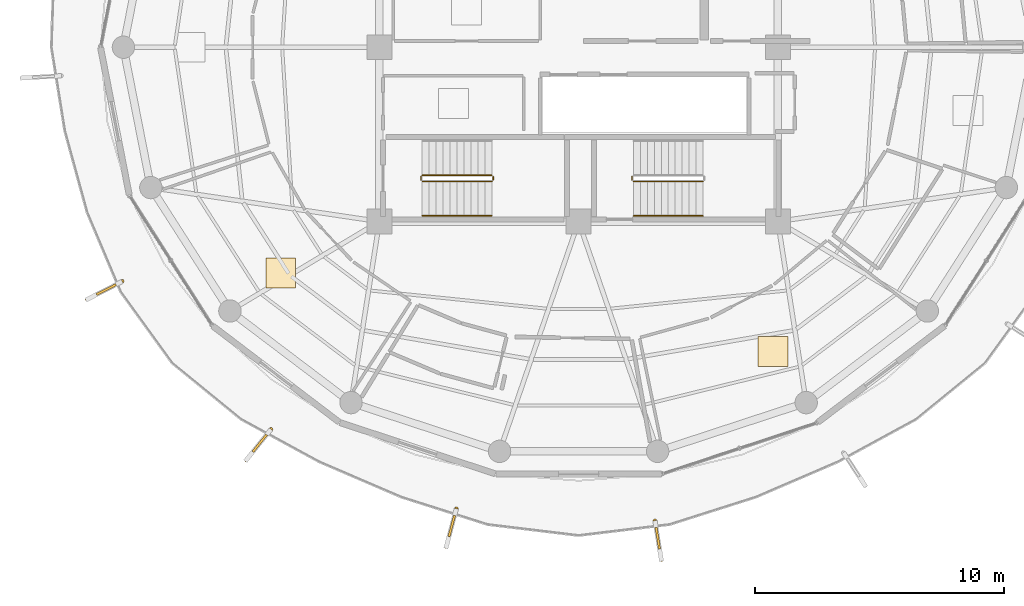
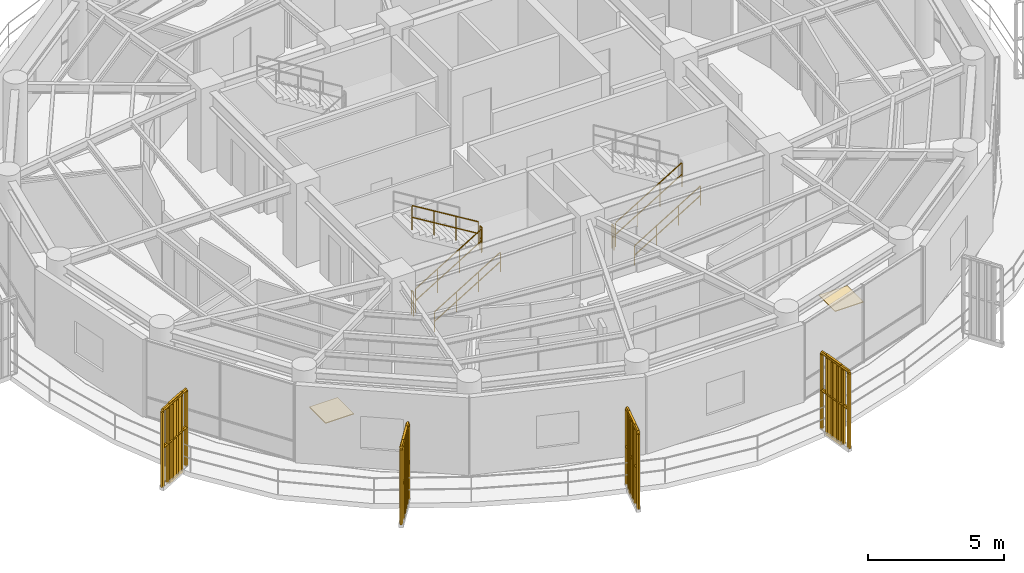
# One storey, part 20 of 23: 12 railings, 4 shading devices, 2 coverings.
"""IFC4 building model written with IfcOpenShell, lengths in metres."""

from ifc_helpers import new_model, si_unit, direction, frame, origin, origin_2d, place, context, subcontext, project, spatial, polyline, rectangle, outline, extrude, source, transform, mapped, material, layer, layer_set, type_object, element, save


model = new_model("IFC4")

# Units and contexts
model_context = context("Model", 3, precision=1e-05, world=origin(), true_north=direction((0.0, 1.0)))
body_context = subcontext(model_context, "Body", "Model", "MODEL_VIEW")
ifc_project = project(units=[si_unit("LENGTHUNIT", "METRE"), si_unit("AREAUNIT", "SQUARE_METRE"), si_unit("VOLUMEUNIT", "CUBIC_METRE"), si_unit("PLANEANGLEUNIT", "RADIAN"), si_unit("MASSUNIT", "GRAM", prefix="KILO")], contexts=[model_context])

# Site, building, storey
site_placement = place(None, origin())
site = spatial("IfcSite", under=ifc_project, at=site_placement, CompositionType="ELEMENT")
building_placement = place(site_placement, origin())
building = spatial("IfcBuilding", under=site, at=building_placement, Name="Kelanora Arch Commons", CompositionType="ELEMENT")
storey_placement = place(building_placement, frame((0.0, 0.0, 256.199951171875)))
storey = spatial("IfcBuildingStorey", under=building, at=storey_placement, Name="L65", CompositionType="ELEMENT", Elevation=256.199951171875)

# Railings
ifc_material_1 = material(Name="Anodised bronze vertical shading fin rib assembly")
railing_type_1 = type_object("IfcRailingType", Name="RAIL-FIN-BRZ", PredefinedType="BALUSTRADE", material=ifc_material_1)
railing_1_placement = place(storey_placement, frame((55.673095703125, 48.59619140625, -0.02001953125)))
element("IfcRailing", 1, at=railing_1_placement, inside=storey, type_object=railing_type_1, Name="Sweeping Bronze Vertical Fin Blade L65-10", PredefinedType="BALUSTRADE", context=body_context, shape_type="SweptSolid", body=[
    extrude(outline(polyline([(0.06982421875, 0.0), (0.034912109375, 0.060546875), (-0.034912109375, 0.060546875), (-0.06982421875, 0.0), (-0.034912109375, -0.060546875), (0.034912109375, -0.060546875), (0.06982421875, 0.0)])), frame((0.0, 0.0, 3.419921875), z_axis=(-0.889705410114, -0.456535084319, 0.0), x_axis=(0.456535084319, -0.889705410114, 0.0)), (0.0, 0.0, 1.0), 1.58837890625),
    extrude(outline(polyline([(0.06982421875, 0.0), (0.034912109375, 0.060546875), (-0.034912109375, 0.060546875), (-0.06982421875, 0.0), (-0.034912109375, -0.060546875), (0.034912109375, -0.060546875), (0.06982421875, 0.0)])), frame((0.0, 0.0, 1.7451171875), z_axis=(-0.889705410114, -0.456535084319, 0.0), x_axis=(0.456535084319, -0.889705410114, 0.0)), (0.0, 0.0, 1.0), 1.58837890625),
    extrude(outline(polyline([(0.080078125, 0.0), (0.0400390625, 0.0693359375), (-0.0400390625, 0.0693359375), (-0.080078125, 0.0), (-0.0400390625, -0.0693359375), (0.0400390625, -0.0693359375), (0.080078125, 0.0)])), origin(), (0.0, 0.0, 1.0), 3.35009765625),
    extrude(outline(polyline([(0.080078125, 0.0), (0.0400390625, 0.0693359375), (-0.0400390625, 0.0693359375), (-0.080078125, 0.0), (-0.0400390625, -0.0693359375), (0.0400390625, -0.0693359375), (0.080078125, 0.0)])), frame((-0.28271484375, -0.14501953125, 0.0)), (0.0, 0.0, 1.0), 3.35009765625),
    extrude(outline(polyline([(0.080078125, 0.0), (0.0400390625, 0.0693359375), (-0.0400390625, 0.0693359375), (-0.080078125, 0.0), (-0.0400390625, -0.0693359375), (0.0400390625, -0.0693359375), (0.080078125, 0.0)])), frame((-0.565185546875, -0.2900390625, 0.0)), (0.0, 0.0, 1.0), 3.35009765625),
    extrude(outline(polyline([(0.080078125, 0.0), (0.0400390625, 0.0693359375), (-0.0400390625, 0.0693359375), (-0.080078125, 0.0), (-0.0400390625, -0.0693359375), (0.0400390625, -0.0693359375), (0.080078125, 0.0)])), frame((-0.847900390625, -0.43505859375, 0.0)), (0.0, 0.0, 1.0), 3.35009765625),
    extrude(outline(polyline([(0.080078125, 0.0), (0.0400390625, 0.0693359375), (-0.0400390625, 0.0693359375), (-0.080078125, 0.0), (-0.0400390625, -0.0693359375), (0.0400390625, -0.0693359375), (0.080078125, 0.0)])), frame((-1.13037109375, -0.580078125, 0.0)), (0.0, 0.0, 1.0), 3.35009765625),
    extrude(outline(polyline([(0.080078125, 0.0), (0.0400390625, 0.0693359375), (-0.0400390625, 0.0693359375), (-0.080078125, 0.0), (-0.0400390625, -0.0693359375), (0.0400390625, -0.0693359375), (0.080078125, 0.0)])), frame((-1.4130859375, -0.72509765625, 0.0)), (0.0, 0.0, 1.0), 3.35009765625),
])
railing_2_placement = place(storey_placement, frame((61.647216796875, 42.656494140625, -0.02001953125)))
element("IfcRailing", 2, at=railing_2_placement, inside=storey, type_object=railing_type_1, Name="Sweeping Bronze Vertical Fin Blade L65-11", PredefinedType="BALUSTRADE", context=body_context, shape_type="SweptSolid", body=[
    extrude(outline(polyline([(0.06982421875, 0.0), (0.034912109375, 0.060546875), (-0.034912109375, 0.060546875), (-0.06982421875, 0.0), (-0.034912109375, -0.060546875), (0.034912109375, -0.060546875), (0.06982421875, 0.0)])), frame((0.0, 0.0, 3.419921875), z_axis=(-0.627166383852, -0.778885310534, 0.0), x_axis=(0.778885310534, -0.627166383852, 0.0)), (0.0, 0.0, 1.0), 1.588134765625),
    extrude(outline(polyline([(0.06982421875, 0.0), (0.034912109375, 0.060546875), (-0.034912109375, 0.060546875), (-0.06982421875, 0.0), (-0.034912109375, -0.060546875), (0.034912109375, -0.060546875), (0.06982421875, 0.0)])), frame((0.0, 0.0, 1.7451171875), z_axis=(-0.627166383852, -0.778885310534, 0.0), x_axis=(0.778885310534, -0.627166383852, 0.0)), (0.0, 0.0, 1.0), 1.588134765625),
    extrude(outline(polyline([(0.080078125, 0.0), (0.0400390625, 0.0693359375), (-0.0400390625, 0.0693359375), (-0.080078125, 0.0), (-0.0400390625, -0.0693359375), (0.0400390625, -0.0693359375), (0.080078125, 0.0)])), origin(), (0.0, 0.0, 1.0), 3.35009765625),
    extrude(outline(polyline([(0.080078125, 0.0), (0.0400390625, 0.0693359375), (-0.0400390625, 0.0693359375), (-0.080078125, 0.0), (-0.0400390625, -0.0693359375), (0.0400390625, -0.0693359375), (0.080078125, 0.0)])), frame((-0.19921875, -0.247314453125, 0.0)), (0.0, 0.0, 1.0), 3.35009765625),
    extrude(outline(polyline([(0.080078125, 0.0), (0.0400390625, 0.0693359375), (-0.0400390625, 0.0693359375), (-0.080078125, 0.0), (-0.0400390625, -0.0693359375), (0.0400390625, -0.0693359375), (0.080078125, 0.0)])), frame((-0.3984375, -0.494873046875, 0.0)), (0.0, 0.0, 1.0), 3.35009765625),
    extrude(outline(polyline([(0.080078125, 0.0), (0.0400390625, 0.0693359375), (-0.0400390625, 0.0693359375), (-0.080078125, 0.0), (-0.0400390625, -0.0693359375), (0.0400390625, -0.0693359375), (0.080078125, 0.0)])), frame((-0.59765625, -0.7421875, 0.0)), (0.0, 0.0, 1.0), 3.35009765625),
    extrude(outline(polyline([(0.080078125, 0.0), (0.0400390625, 0.0693359375), (-0.0400390625, 0.0693359375), (-0.080078125, 0.0), (-0.0400390625, -0.0693359375), (0.0400390625, -0.0693359375), (0.080078125, 0.0)])), frame((-0.796875, -0.98974609375, 0.0)), (0.0, 0.0, 1.0), 3.35009765625),
    extrude(outline(polyline([(0.080078125, 0.0), (0.0400390625, 0.0693359375), (-0.0400390625, 0.0693359375), (-0.080078125, 0.0), (-0.0400390625, -0.0693359375), (0.0400390625, -0.0693359375), (0.080078125, 0.0)])), frame((-0.99609375, -1.237060546875, 0.0)), (0.0, 0.0, 1.0), 3.35009765625),
])
railing_3_placement = place(storey_placement, frame((69.090576171875, 39.46728515625, -0.02001953125)))
element("IfcRailing", 3, at=railing_3_placement, inside=storey, type_object=railing_type_1, Name="Sweeping Bronze Vertical Fin Blade L65-12", PredefinedType="BALUSTRADE", context=body_context, shape_type="SweptSolid", body=[
    extrude(outline(polyline([(0.06982421875, 0.0), (0.034912109375, 0.060546875), (-0.034912109375, 0.060546875), (-0.06982421875, 0.0), (-0.034912109375, -0.060546875), (0.034912109375, -0.060546875), (0.06982421875, 0.0)])), frame((0.0, 0.0, 3.419921875), z_axis=(-0.256074219656, -0.9666571233, 0.0), x_axis=(0.9666571233, -0.256074219656, 0.0)), (0.0, 0.0, 1.0), 1.58837890625),
    extrude(outline(polyline([(0.06982421875, 0.0), (0.034912109375, 0.060546875), (-0.034912109375, 0.060546875), (-0.06982421875, 0.0), (-0.034912109375, -0.060546875), (0.034912109375, -0.060546875), (0.06982421875, 0.0)])), frame((0.0, 0.0, 1.7451171875), z_axis=(-0.256074219656, -0.9666571233, 0.0), x_axis=(0.9666571233, -0.256074219656, 0.0)), (0.0, 0.0, 1.0), 1.58837890625),
    extrude(outline(polyline([(0.080078125, 0.0), (0.0400390625, 0.0693359375), (-0.0400390625, 0.0693359375), (-0.080078125, 0.0), (-0.0400390625, -0.0693359375), (0.0400390625, -0.0693359375), (0.080078125, 0.0)])), origin(), (0.0, 0.0, 1.0), 3.35009765625),
    extrude(outline(polyline([(0.080078125, 0.0), (0.0400390625, 0.0693359375), (-0.0400390625, 0.0693359375), (-0.080078125, 0.0), (-0.0400390625, -0.0693359375), (0.0400390625, -0.0693359375), (0.080078125, 0.0)])), frame((-0.081298828125, -0.30712890625, 0.0)), (0.0, 0.0, 1.0), 3.35009765625),
    extrude(outline(polyline([(0.080078125, 0.0), (0.0400390625, 0.0693359375), (-0.0400390625, 0.0693359375), (-0.080078125, 0.0), (-0.0400390625, -0.0693359375), (0.0400390625, -0.0693359375), (0.080078125, 0.0)])), frame((-0.16259765625, -0.6142578125, 0.0)), (0.0, 0.0, 1.0), 3.35009765625),
    extrude(outline(polyline([(0.080078125, 0.0), (0.0400390625, 0.0693359375), (-0.0400390625, 0.0693359375), (-0.080078125, 0.0), (-0.0400390625, -0.0693359375), (0.0400390625, -0.0693359375), (0.080078125, 0.0)])), frame((-0.244140625, -0.921142578125, 0.0)), (0.0, 0.0, 1.0), 3.35009765625),
    extrude(outline(polyline([(0.080078125, 0.0), (0.0400390625, 0.0693359375), (-0.0400390625, 0.0693359375), (-0.080078125, 0.0), (-0.0400390625, -0.0693359375), (0.0400390625, -0.0693359375), (0.080078125, 0.0)])), frame((-0.325439453125, -1.228271484375, 0.0)), (0.0, 0.0, 1.0), 3.35009765625),
    extrude(outline(polyline([(0.080078125, 0.0), (0.0400390625, 0.0693359375), (-0.0400390625, 0.0693359375), (-0.080078125, 0.0), (-0.0400390625, -0.0693359375), (0.0400390625, -0.0693359375), (0.080078125, 0.0)])), frame((-0.40673828125, -1.535400390625, 0.0)), (0.0, 0.0, 1.0), 3.35009765625),
])
railing_4_placement = place(storey_placement, frame((77.066650390625, 38.98828125, -0.02001953125)))
element("IfcRailing", 4, at=railing_4_placement, inside=storey, type_object=railing_type_1, Name="Sweeping Bronze Vertical Fin Blade L65-13", PredefinedType="BALUSTRADE", context=body_context, shape_type="SweptSolid", body=[
    extrude(outline(polyline([(0.06982421875, 0.0), (0.034912109375, 0.060546875), (-0.034912109375, 0.060546875), (-0.06982421875, 0.0), (-0.034912109375, -0.060546875), (0.034912109375, -0.060546875), (0.06982421875, 0.0)])), frame((0.0, 0.0, 3.419921875), z_axis=(0.159237271299, -0.987240341269, 0.0), x_axis=(0.987240341269, 0.159237271299, 0.0)), (0.0, 0.0, 1.0), 1.58837890625),
    extrude(outline(polyline([(0.06982421875, 0.0), (0.034912109375, 0.060546875), (-0.034912109375, 0.060546875), (-0.06982421875, 0.0), (-0.034912109375, -0.060546875), (0.034912109375, -0.060546875), (0.06982421875, 0.0)])), frame((0.0, 0.0, 1.7451171875), z_axis=(0.159237271299, -0.987240341269, 0.0), x_axis=(0.987240341269, 0.159237271299, 0.0)), (0.0, 0.0, 1.0), 1.58837890625),
    extrude(outline(polyline([(0.080078125, 0.0), (0.0400390625, 0.0693359375), (-0.0400390625, 0.0693359375), (-0.080078125, 0.0), (-0.0400390625, -0.0693359375), (0.0400390625, -0.0693359375), (0.080078125, 0.0)])), origin(), (0.0, 0.0, 1.0), 3.35009765625),
    extrude(outline(polyline([(0.080078125, 0.0), (0.0400390625, 0.0693359375), (-0.0400390625, 0.0693359375), (-0.080078125, 0.0), (-0.0400390625, -0.0693359375), (0.0400390625, -0.0693359375), (0.080078125, 0.0)])), frame((0.050537109375, -0.313720703125, 0.0)), (0.0, 0.0, 1.0), 3.35009765625),
    extrude(outline(polyline([(0.080078125, 0.0), (0.0400390625, 0.0693359375), (-0.0400390625, 0.0693359375), (-0.080078125, 0.0), (-0.0400390625, -0.0693359375), (0.0400390625, -0.0693359375), (0.080078125, 0.0)])), frame((0.10107421875, -0.627197265625, 0.0)), (0.0, 0.0, 1.0), 3.35009765625),
    extrude(outline(polyline([(0.080078125, 0.0), (0.0400390625, 0.0693359375), (-0.0400390625, 0.0693359375), (-0.080078125, 0.0), (-0.0400390625, -0.0693359375), (0.0400390625, -0.0693359375), (0.080078125, 0.0)])), frame((0.15185546875, -0.94091796875, 0.0)), (0.0, 0.0, 1.0), 3.35009765625),
    extrude(outline(polyline([(0.080078125, 0.0), (0.0400390625, 0.0693359375), (-0.0400390625, 0.0693359375), (-0.080078125, 0.0), (-0.0400390625, -0.0693359375), (0.0400390625, -0.0693359375), (0.080078125, 0.0)])), frame((0.202392578125, -1.25439453125, 0.0)), (0.0, 0.0, 1.0), 3.35009765625),
    extrude(outline(polyline([(0.080078125, 0.0), (0.0400390625, 0.0693359375), (-0.0400390625, 0.0693359375), (-0.080078125, 0.0), (-0.0400390625, -0.0693359375), (0.0400390625, -0.0693359375), (0.080078125, 0.0)])), frame((0.2529296875, -1.568115234375, 0.0)), (0.0, 0.0, 1.0), 3.35009765625),
])
ifc_material_2 = material(Name="Painted steel stair well guard", Category="steel")
railing_type_2 = type_object("IfcRailingType", Name="RAIL-STAIR-GRD", PredefinedType="GUARDRAIL", material=ifc_material_2)
railing_5_placement = place(storey_placement, frame((76.199951171875, 52.610107421875, 0.17041015625)))
element("IfcRailing", 5, at=railing_5_placement, inside=storey, type_object=railing_type_2, Name="L65 ST-T2 stair guard 1", PredefinedType="GUARDRAIL", context=body_context, shape_type="SweptSolid", body=[
    extrude(outline(polyline([(0.02392578125, 0.0), (0.011962890625, 0.020751953125), (-0.011962890625, 0.020751953125), (-0.02392578125, 0.0), (-0.011962890625, -0.020751953125), (0.011962890625, -0.020751953125), (0.02392578125, 0.0)])), frame((0.0, 0.0, 1.076171875), z_axis=(0.854169791009, 0.0, 0.51999420009), x_axis=(0.0, 1.0, 0.0)), (0.0, 0.0, 1.0), 3.278076171875),
    extrude(outline(polyline([(0.02392578125, 0.0), (0.011962890625, 0.020751953125), (-0.011962890625, 0.020751953125), (-0.02392578125, 0.0), (-0.011962890625, -0.020751953125), (0.011962890625, -0.020751953125), (0.02392578125, 0.0)])), frame((0.0, 0.0, 0.550048828125), z_axis=(0.854169791009, 0.0, 0.51999420009), x_axis=(0.0, 1.0, 0.0)), (0.0, 0.0, 1.0), 3.278076171875),
    extrude(outline(polyline([(0.02099609375, 0.0), (0.010498046875, 0.01806640625), (-0.010498046875, 0.01806640625), (-0.02099609375, 0.0), (-0.010498046875, -0.01806640625), (0.010498046875, -0.01806640625), (0.02099609375, 0.0)])), origin(), (0.0, 0.0, 1.0), 1.052001953125),
    extrude(outline(polyline([(0.02099609375, 0.0), (0.010498046875, 0.01806640625), (-0.010498046875, 0.01806640625), (-0.02099609375, 0.0), (-0.010498046875, -0.01806640625), (0.010498046875, -0.01806640625), (0.02099609375, 0.0)])), frame((0.933349609375, 0.0, 0.568115234375)), (0.0, 0.0, 1.0), 1.052001953125),
    extrude(outline(polyline([(0.02099609375, 0.0), (0.010498046875, 0.01806640625), (-0.010498046875, 0.01806640625), (-0.02099609375, 0.0), (-0.010498046875, -0.01806640625), (0.010498046875, -0.01806640625), (0.02099609375, 0.0)])), frame((1.86669921875, 0.0, 1.136474609375)), (0.0, 0.0, 1.0), 1.052001953125),
    extrude(outline(polyline([(0.02099609375, 0.0), (0.010498046875, 0.01806640625), (-0.010498046875, 0.01806640625), (-0.02099609375, 0.0), (-0.010498046875, -0.01806640625), (0.010498046875, -0.01806640625), (0.02099609375, 0.0)])), frame((2.800048828125, 0.0, 1.70458984375)), (0.0, 0.0, 1.0), 1.052001953125),
])
railing_6_placement = place(storey_placement, frame((76.14990234375, 52.659912109375, 0.0)))
element("IfcRailing", 6, at=railing_6_placement, inside=storey, type_object=railing_type_2, Name="L65 ST-T2 stair guard 4", PredefinedType="GUARDRAIL", context=body_context, shape_type="SweptSolid", body=[
    extrude(outline(polyline([(0.02392578125, 0.0), (0.011962890625, 0.020751953125), (-0.011962890625, 0.020751953125), (-0.02392578125, 0.0), (-0.011962890625, -0.020751953125), (0.011962890625, -0.020751953125), (0.02392578125, 0.0)])), frame((0.0, 0.0, 1.076171875), z_axis=(0.0, 1.0, 0.0), x_axis=(-1.0, 0.0, 0.0)), (0.0, 0.0, 1.0), 0.150146484375),
    extrude(outline(polyline([(0.02392578125, 0.0), (0.011962890625, 0.020751953125), (-0.011962890625, 0.020751953125), (-0.02392578125, 0.0), (-0.011962890625, -0.020751953125), (0.011962890625, -0.020751953125), (0.02392578125, 0.0)])), frame((0.0, 0.0, 0.550048828125), z_axis=(0.0, 1.0, 0.0), x_axis=(-1.0, 0.0, 0.0)), (0.0, 0.0, 1.0), 0.150146484375),
    extrude(outline(polyline([(0.02099609375, 0.0), (0.010498046875, 0.01806640625), (-0.010498046875, 0.01806640625), (-0.02099609375, 0.0), (-0.010498046875, -0.01806640625), (0.010498046875, -0.01806640625), (0.02099609375, 0.0)])), origin(), (0.0, 0.0, 1.0), 1.052001953125),
    extrude(outline(polyline([(0.02099609375, 0.0), (0.010498046875, 0.01806640625), (-0.010498046875, 0.01806640625), (-0.02099609375, 0.0), (-0.010498046875, -0.01806640625), (0.010498046875, -0.01806640625), (0.02099609375, 0.0)])), frame((0.0, 0.150146484375, 0.0)), (0.0, 0.0, 1.0), 1.052001953125),
])
railing_7_placement = place(storey_placement, frame((67.719970703125, 52.610107421875, 0.17041015625)))
element("IfcRailing", 7, at=railing_7_placement, inside=storey, type_object=railing_type_2, Name="L65 ST-T3 stair guard 1", PredefinedType="GUARDRAIL", context=body_context, shape_type="SweptSolid", body=[
    extrude(outline(polyline([(0.02392578125, 0.0), (0.011962890625, 0.020751953125), (-0.011962890625, 0.020751953125), (-0.02392578125, 0.0), (-0.011962890625, -0.020751953125), (0.011962890625, -0.020751953125), (0.02392578125, 0.0)])), frame((0.0, 0.0, 1.076171875), z_axis=(0.854169791009, 0.0, 0.51999420009), x_axis=(0.0, 1.0, 0.0)), (0.0, 0.0, 1.0), 3.278076171875),
    extrude(outline(polyline([(0.02392578125, 0.0), (0.011962890625, 0.020751953125), (-0.011962890625, 0.020751953125), (-0.02392578125, 0.0), (-0.011962890625, -0.020751953125), (0.011962890625, -0.020751953125), (0.02392578125, 0.0)])), frame((0.0, 0.0, 0.550048828125), z_axis=(0.854169791009, 0.0, 0.51999420009), x_axis=(0.0, 1.0, 0.0)), (0.0, 0.0, 1.0), 3.278076171875),
    extrude(outline(polyline([(0.02099609375, 0.0), (0.010498046875, 0.01806640625), (-0.010498046875, 0.01806640625), (-0.02099609375, 0.0), (-0.010498046875, -0.01806640625), (0.010498046875, -0.01806640625), (0.02099609375, 0.0)])), origin(), (0.0, 0.0, 1.0), 1.052001953125),
    extrude(outline(polyline([(0.02099609375, 0.0), (0.010498046875, 0.01806640625), (-0.010498046875, 0.01806640625), (-0.02099609375, 0.0), (-0.010498046875, -0.01806640625), (0.010498046875, -0.01806640625), (0.02099609375, 0.0)])), frame((0.933349609375, 0.0, 0.568115234375)), (0.0, 0.0, 1.0), 1.052001953125),
    extrude(outline(polyline([(0.02099609375, 0.0), (0.010498046875, 0.01806640625), (-0.010498046875, 0.01806640625), (-0.02099609375, 0.0), (-0.010498046875, -0.01806640625), (0.010498046875, -0.01806640625), (0.02099609375, 0.0)])), frame((1.86669921875, 0.0, 1.136474609375)), (0.0, 0.0, 1.0), 1.052001953125),
    extrude(outline(polyline([(0.02099609375, 0.0), (0.010498046875, 0.01806640625), (-0.010498046875, 0.01806640625), (-0.02099609375, 0.0), (-0.010498046875, -0.01806640625), (0.010498046875, -0.01806640625), (0.02099609375, 0.0)])), frame((2.800048828125, 0.0, 1.70458984375)), (0.0, 0.0, 1.0), 1.052001953125),
])
railing_8_placement = place(storey_placement, frame((70.570068359375, 52.659912109375, 1.875)))
element("IfcRailing", 8, at=railing_8_placement, inside=storey, type_object=railing_type_2, Name="L65 ST-T3 stair guard 2", PredefinedType="GUARDRAIL", context=body_context, shape_type="SweptSolid", body=[
    extrude(outline(polyline([(0.02392578125, 0.0), (0.011962890625, 0.020751953125), (-0.011962890625, 0.020751953125), (-0.02392578125, 0.0), (-0.011962890625, -0.020751953125), (0.011962890625, -0.020751953125), (0.02392578125, 0.0)])), frame((0.0, 0.0, 1.076171875), z_axis=(0.0, 1.0, 0.0), x_axis=(-1.0, 0.0, 0.0)), (0.0, 0.0, 1.0), 0.150146484375),
    extrude(outline(polyline([(0.02392578125, 0.0), (0.011962890625, 0.020751953125), (-0.011962890625, 0.020751953125), (-0.02392578125, 0.0), (-0.011962890625, -0.020751953125), (0.011962890625, -0.020751953125), (0.02392578125, 0.0)])), frame((0.0, 0.0, 0.550048828125), z_axis=(0.0, 1.0, 0.0), x_axis=(-1.0, 0.0, 0.0)), (0.0, 0.0, 1.0), 0.150146484375),
    extrude(outline(polyline([(0.02099609375, 0.0), (0.010498046875, 0.01806640625), (-0.010498046875, 0.01806640625), (-0.02099609375, 0.0), (-0.010498046875, -0.01806640625), (0.010498046875, -0.01806640625), (0.02099609375, 0.0)])), origin(), (0.0, 0.0, 1.0), 1.052001953125),
    extrude(outline(polyline([(0.02099609375, 0.0), (0.010498046875, 0.01806640625), (-0.010498046875, 0.01806640625), (-0.02099609375, 0.0), (-0.010498046875, -0.01806640625), (0.010498046875, -0.01806640625), (0.02099609375, 0.0)])), frame((0.0, 0.150146484375, 0.0)), (0.0, 0.0, 1.0), 1.052001953125),
])
railing_9_placement = place(storey_placement, frame((70.52001953125, 52.860107421875, 2.04541015625)))
element("IfcRailing", 9, at=railing_9_placement, inside=storey, type_object=railing_type_2, Name="L65 ST-T3 stair guard 3", PredefinedType="GUARDRAIL", context=body_context, shape_type="SweptSolid", body=[
    extrude(outline(polyline([(0.02392578125, 0.0), (0.011962890625, 0.020751953125), (-0.011962890625, 0.020751953125), (-0.02392578125, 0.0), (-0.011962890625, -0.020751953125), (0.011962890625, -0.020751953125), (0.02392578125, 0.0)])), frame((0.0, 0.0, 1.076171875), z_axis=(-0.854169791009, 0.0, 0.51999420009), x_axis=(0.0, -1.0, 0.0)), (0.0, 0.0, 1.0), 3.278076171875),
    extrude(outline(polyline([(0.02392578125, 0.0), (0.011962890625, 0.020751953125), (-0.011962890625, 0.020751953125), (-0.02392578125, 0.0), (-0.011962890625, -0.020751953125), (0.011962890625, -0.020751953125), (0.02392578125, 0.0)])), frame((0.0, 0.0, 0.550048828125), z_axis=(-0.854169791009, 0.0, 0.51999420009), x_axis=(0.0, -1.0, 0.0)), (0.0, 0.0, 1.0), 3.278076171875),
    extrude(outline(polyline([(0.02099609375, 0.0), (0.010498046875, 0.01806640625), (-0.010498046875, 0.01806640625), (-0.02099609375, 0.0), (-0.010498046875, -0.01806640625), (0.010498046875, -0.01806640625), (0.02099609375, 0.0)])), origin(), (0.0, 0.0, 1.0), 1.052001953125),
    extrude(outline(polyline([(0.02099609375, 0.0), (0.010498046875, 0.01806640625), (-0.010498046875, 0.01806640625), (-0.02099609375, 0.0), (-0.010498046875, -0.01806640625), (0.010498046875, -0.01806640625), (0.02099609375, 0.0)])), frame((-0.933349609375, 0.0, 0.568115234375)), (0.0, 0.0, 1.0), 1.052001953125),
    extrude(outline(polyline([(0.02099609375, 0.0), (0.010498046875, 0.01806640625), (-0.010498046875, 0.01806640625), (-0.02099609375, 0.0), (-0.010498046875, -0.01806640625), (0.010498046875, -0.01806640625), (0.02099609375, 0.0)])), frame((-1.86669921875, 0.0, 1.136474609375)), (0.0, 0.0, 1.0), 1.052001953125),
    extrude(outline(polyline([(0.02099609375, 0.0), (0.010498046875, 0.01806640625), (-0.010498046875, 0.01806640625), (-0.02099609375, 0.0), (-0.010498046875, -0.01806640625), (0.010498046875, -0.01806640625), (0.02099609375, 0.0)])), frame((-2.800048828125, 0.0, 1.70458984375)), (0.0, 0.0, 1.0), 1.052001953125),
])
railing_10_placement = place(storey_placement, frame((67.669921875, 52.659912109375, 0.0)))
element("IfcRailing", 10, at=railing_10_placement, inside=storey, type_object=railing_type_2, Name="L65 ST-T3 stair guard 4", PredefinedType="GUARDRAIL", context=body_context, shape_type="SweptSolid", body=[
    extrude(outline(polyline([(0.02392578125, 0.0), (0.011962890625, 0.020751953125), (-0.011962890625, 0.020751953125), (-0.02392578125, 0.0), (-0.011962890625, -0.020751953125), (0.011962890625, -0.020751953125), (0.02392578125, 0.0)])), frame((0.0, 0.0, 1.076171875), z_axis=(0.0, 1.0, 0.0), x_axis=(-1.0, 0.0, 0.0)), (0.0, 0.0, 1.0), 0.150146484375),
    extrude(outline(polyline([(0.02392578125, 0.0), (0.011962890625, 0.020751953125), (-0.011962890625, 0.020751953125), (-0.02392578125, 0.0), (-0.011962890625, -0.020751953125), (0.011962890625, -0.020751953125), (0.02392578125, 0.0)])), frame((0.0, 0.0, 0.550048828125), z_axis=(0.0, 1.0, 0.0), x_axis=(-1.0, 0.0, 0.0)), (0.0, 0.0, 1.0), 0.150146484375),
    extrude(outline(polyline([(0.02099609375, 0.0), (0.010498046875, 0.01806640625), (-0.010498046875, 0.01806640625), (-0.02099609375, 0.0), (-0.010498046875, -0.01806640625), (0.010498046875, -0.01806640625), (0.02099609375, 0.0)])), origin(), (0.0, 0.0, 1.0), 1.052001953125),
    extrude(outline(polyline([(0.02099609375, 0.0), (0.010498046875, 0.01806640625), (-0.010498046875, 0.01806640625), (-0.02099609375, 0.0), (-0.010498046875, -0.01806640625), (0.010498046875, -0.01806640625), (0.02099609375, 0.0)])), frame((0.0, 0.150146484375, 0.0)), (0.0, 0.0, 1.0), 1.052001953125),
])
ifc_material_3 = material(Name="Brushed stainless steel stair handrail", Category="steel")
railing_type_3 = type_object("IfcRailingType", Name="RAIL-STAIR-HND", PredefinedType="HANDRAIL", material=ifc_material_3)
railing_11_placement = place(storey_placement, frame((76.199951171875, 51.22998046875, 0.17041015625)))
element("IfcRailing", 11, at=railing_11_placement, inside=storey, type_object=railing_type_3, Name="L65 ST-T2 stair handrail 1", PredefinedType="HANDRAIL", context=body_context, shape_type="SweptSolid", body=[
    extrude(outline(polyline([(0.02392578125, 0.0), (0.011962890625, 0.020751953125), (-0.011962890625, 0.020751953125), (-0.02392578125, 0.0), (-0.011962890625, -0.020751953125), (0.011962890625, -0.020751953125), (0.02392578125, 0.0)])), frame((0.0, 0.0, 0.8759765625), z_axis=(0.854169791009, 0.0, 0.51999420009), x_axis=(0.0, 1.0, 0.0)), (0.0, 0.0, 1.0), 3.278076171875),
    extrude(outline(polyline([(0.02392578125, 0.0), (0.011962890625, 0.020751953125), (-0.011962890625, 0.020751953125), (-0.02392578125, 0.0), (-0.011962890625, -0.020751953125), (0.011962890625, -0.020751953125), (0.02392578125, 0.0)])), frame((0.0, 0.0, 0.449951171875), z_axis=(0.854169791009, 0.0, 0.51999420009), x_axis=(0.0, 1.0, 0.0)), (0.0, 0.0, 1.0), 3.278076171875),
    extrude(outline(polyline([(0.02099609375, 0.0), (0.010498046875, 0.01806640625), (-0.010498046875, 0.01806640625), (-0.02099609375, 0.0), (-0.010498046875, -0.01806640625), (0.010498046875, -0.01806640625), (0.02099609375, 0.0)])), origin(), (0.0, 0.0, 1.0), 0.851806640625),
    extrude(outline(polyline([(0.02099609375, 0.0), (0.010498046875, 0.01806640625), (-0.010498046875, 0.01806640625), (-0.02099609375, 0.0), (-0.010498046875, -0.01806640625), (0.010498046875, -0.01806640625), (0.02099609375, 0.0)])), frame((0.933349609375, 0.0, 0.568115234375)), (0.0, 0.0, 1.0), 0.851806640625),
    extrude(outline(polyline([(0.02099609375, 0.0), (0.010498046875, 0.01806640625), (-0.010498046875, 0.01806640625), (-0.02099609375, 0.0), (-0.010498046875, -0.01806640625), (0.010498046875, -0.01806640625), (0.02099609375, 0.0)])), frame((1.86669921875, 0.0, 1.136474609375)), (0.0, 0.0, 1.0), 0.851806640625),
    extrude(outline(polyline([(0.02099609375, 0.0), (0.010498046875, 0.01806640625), (-0.010498046875, 0.01806640625), (-0.02099609375, 0.0), (-0.010498046875, -0.01806640625), (0.010498046875, -0.01806640625), (0.02099609375, 0.0)])), frame((2.800048828125, 0.0, 1.70458984375)), (0.0, 0.0, 1.0), 0.851806640625),
])
railing_12_placement = place(storey_placement, frame((67.719970703125, 51.22998046875, 0.17041015625)))
element("IfcRailing", 12, at=railing_12_placement, inside=storey, type_object=railing_type_3, Name="L65 ST-T3 stair handrail 1", PredefinedType="HANDRAIL", context=body_context, shape_type="SweptSolid", body=[
    extrude(outline(polyline([(0.02392578125, 0.0), (0.011962890625, 0.020751953125), (-0.011962890625, 0.020751953125), (-0.02392578125, 0.0), (-0.011962890625, -0.020751953125), (0.011962890625, -0.020751953125), (0.02392578125, 0.0)])), frame((0.0, 0.0, 0.8759765625), z_axis=(0.854169791009, 0.0, 0.51999420009), x_axis=(0.0, 1.0, 0.0)), (0.0, 0.0, 1.0), 3.278076171875),
    extrude(outline(polyline([(0.02392578125, 0.0), (0.011962890625, 0.020751953125), (-0.011962890625, 0.020751953125), (-0.02392578125, 0.0), (-0.011962890625, -0.020751953125), (0.011962890625, -0.020751953125), (0.02392578125, 0.0)])), frame((0.0, 0.0, 0.449951171875), z_axis=(0.854169791009, 0.0, 0.51999420009), x_axis=(0.0, 1.0, 0.0)), (0.0, 0.0, 1.0), 3.278076171875),
    extrude(outline(polyline([(0.02099609375, 0.0), (0.010498046875, 0.01806640625), (-0.010498046875, 0.01806640625), (-0.02099609375, 0.0), (-0.010498046875, -0.01806640625), (0.010498046875, -0.01806640625), (0.02099609375, 0.0)])), origin(), (0.0, 0.0, 1.0), 0.851806640625),
    extrude(outline(polyline([(0.02099609375, 0.0), (0.010498046875, 0.01806640625), (-0.010498046875, 0.01806640625), (-0.02099609375, 0.0), (-0.010498046875, -0.01806640625), (0.010498046875, -0.01806640625), (0.02099609375, 0.0)])), frame((0.933349609375, 0.0, 0.568115234375)), (0.0, 0.0, 1.0), 0.851806640625),
    extrude(outline(polyline([(0.02099609375, 0.0), (0.010498046875, 0.01806640625), (-0.010498046875, 0.01806640625), (-0.02099609375, 0.0), (-0.010498046875, -0.01806640625), (0.010498046875, -0.01806640625), (0.02099609375, 0.0)])), frame((1.86669921875, 0.0, 1.136474609375)), (0.0, 0.0, 1.0), 0.851806640625),
    extrude(outline(polyline([(0.02099609375, 0.0), (0.010498046875, 0.01806640625), (-0.010498046875, 0.01806640625), (-0.02099609375, 0.0), (-0.010498046875, -0.01806640625), (0.010498046875, -0.01806640625), (0.02099609375, 0.0)])), frame((2.800048828125, 0.0, 1.70458984375)), (0.0, 0.0, 1.0), 0.851806640625),
])

# Shading devices
ifc_material_4 = material(Name="Terracotta ceramic-clad extruded aluminium fin", Category="masonry")
shading_device_type = type_object("IfcShadingDeviceType", Name="SHD-FIN-FLARE", PredefinedType="USERDEFINED", material=ifc_material_4)
shared_shape_1 = source(origin(), body_context, "Body", "SweptSolid", [
    extrude(rectangle(XDim=0.8798828125, YDim=0.090087890625, at=origin_2d()), origin(), (0.0, 0.0, 1.0), 3.610107421875),
])
for number, where, z_axis, x_axis, name in (
    (13, (55.03271484375, 48.267578125, -0.14013671875), (0.0, 0.0, 1.0), (-0.889735271073, -0.456476885952, 0.0), "Sweeping Terracotta Fin L65-10"),
    (14, (61.19580078125, 42.095703125, -0.14013671875), (0.0, 0.0, 1.0), (-0.62714773916, -0.778900323063, 0.0), "Sweeping Terracotta Fin L65-11"),
    (15, (68.90625, 38.771240234375, -0.14013671875), (0.0, 0.0, 1.0), (-0.256120665687, -0.966644818229, 0.0), "Sweeping Terracotta Fin L65-12"),
    (16, (77.181396484375, 38.27734375, -0.14013671875), (0.0, 0.0, 1.0), (0.159191997666, -0.98724764263, 0.0), "Sweeping Terracotta Fin L65-13"),
):
    element("IfcShadingDevice", number, at=place(storey_placement, frame(where, z_axis=z_axis, x_axis=x_axis)), inside=storey, type_object=shading_device_type, Name=name, ObjectType="FIN", PredefinedType="USERDEFINED", context=body_context, shape_type="MappedRepresentation", body=[
        mapped(shared_shape_1, transform((0.0, 0.0, 0.0), scale=1.0)),
    ])

# Coverings
ifc_material_5 = material(Name="Polished local granite terrazzo flooring", Category="masonry")
ifc_layer = layer(ifc_material_5, 0.030029296875)
ifc_layer_set = layer_set([ifc_layer], Name="Polished local granite terrazzo flooring")
covering_type = type_object("IfcCoveringType", Name="COV-FLR-TER", PredefinedType="FLOORING", material=ifc_layer_set)
shared_shape_2 = source(origin(), body_context, "Body", "SweptSolid", [
    extrude(rectangle(XDim=1.199951171875, YDim=1.199951171875, at=origin_2d()), origin(), (0.0, 0.0, 1.0), 0.030029296875),
])
for number, where, z_axis, x_axis, name in (
    (17, (62.040771484375, 48.930419921875, 0.0), (0.0, 0.0, 1.0), (1.0, 0.0, 0.0), "Quiet Seminar Study Room L65-06 Terrazzo Finish"),
    (18, (81.8056640625, 45.780517578125, 0.0), (0.0, 0.0, 1.0), (1.0, 0.0, 0.0), "Communal Dining and Social Hall L65-08 Terrazzo Finish"),
):
    element("IfcCovering", number, at=place(storey_placement, frame(where, z_axis=z_axis, x_axis=x_axis)), inside=storey, type_object=covering_type, Name=name, PredefinedType="FLOORING", context=body_context, shape_type="MappedRepresentation", body=[
        mapped(shared_shape_2, transform((0.0, 0.0, 0.0), scale=1.0)),
    ])

save(model, "model.ifc")
